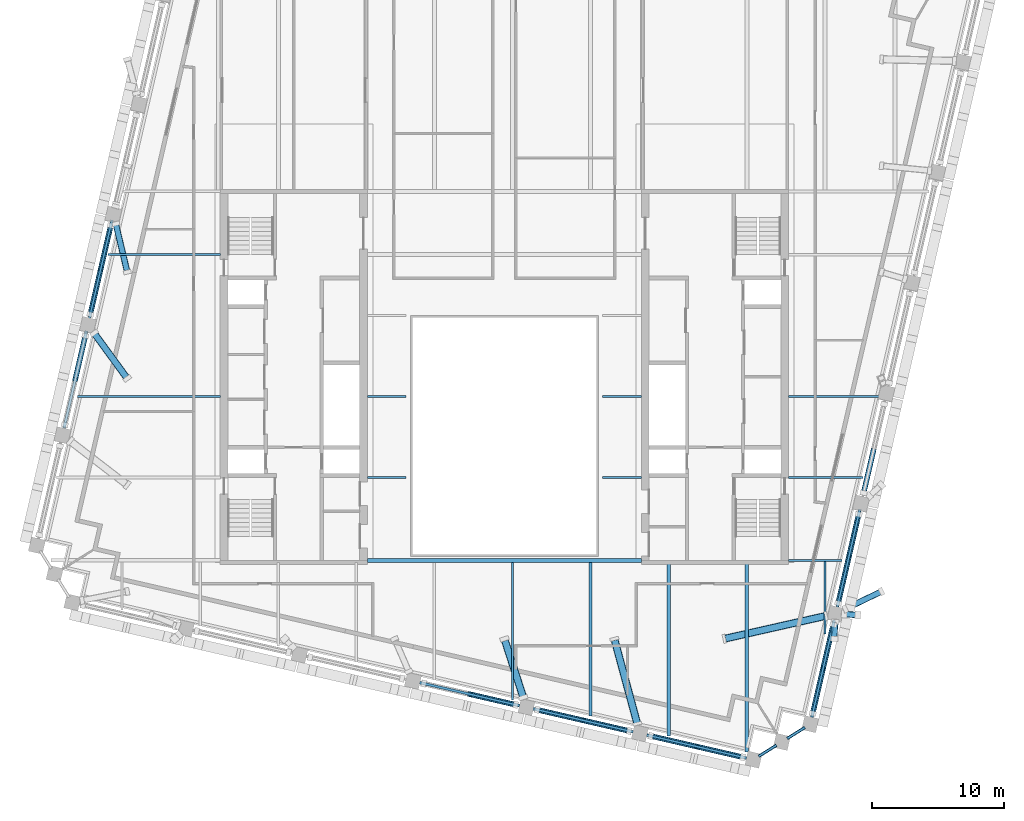
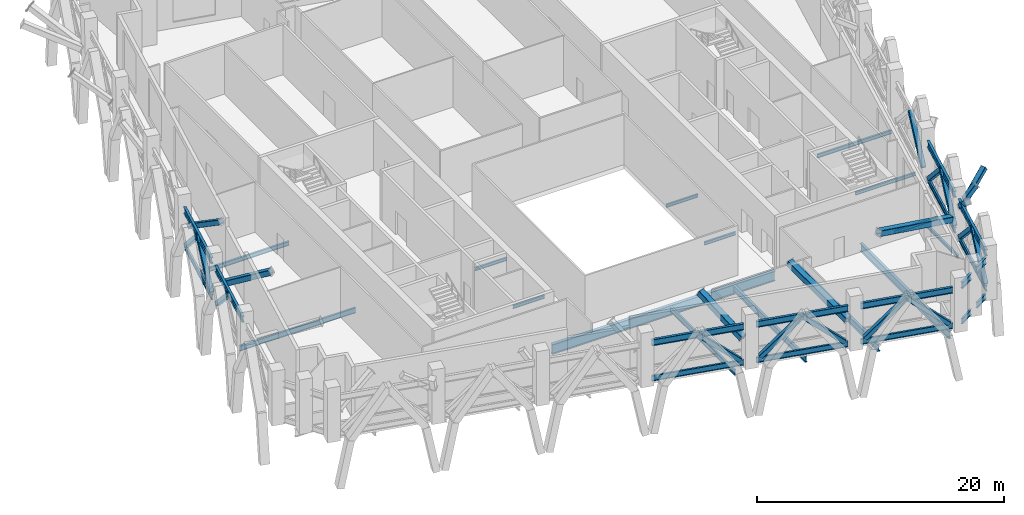
# One storey, part 2 of 19: 32 beams, 21 members.
"""IFC4 building model written with IfcOpenShell, lengths in metres."""

from ifc_helpers import new_model, si_unit, direction, frame, origin, origin_2d, place, context, subcontext, project, spatial, hollow_rectangle, i_section, extrude, material, material_profile, profile_set, type_object, element, save


model = new_model("IFC4")

# Units and contexts
model_context = context("Model", 3, precision=1e-05, world=origin(), true_north=direction((0.0, 1.0)))
body_context = subcontext(model_context, "Body", "Model", "MODEL_VIEW")
ifc_project = project(units=[si_unit("LENGTHUNIT", "METRE"), si_unit("AREAUNIT", "SQUARE_METRE"), si_unit("VOLUMEUNIT", "CUBIC_METRE"), si_unit("PLANEANGLEUNIT", "RADIAN"), si_unit("MASSUNIT", "GRAM", prefix="KILO")], contexts=[model_context])

# Site, building, storey
site_placement = place(None, origin())
site = spatial("IfcSite", under=ifc_project, at=site_placement, CompositionType="ELEMENT")
building_placement = place(site_placement, origin())
building = spatial("IfcBuilding", under=site, at=building_placement, Name="Ogive Exchange Tower", CompositionType="ELEMENT")
storey_placement = place(building_placement, frame((0.0, 0.0, 297.60009765625)))
storey = spatial("IfcBuildingStorey", under=building, at=storey_placement, Name="L65", CompositionType="ELEMENT", Elevation=297.60009765625)

# Beams
ifc_material_1 = material(Name="Steel ASTM A992 Gr50", Category="steel")
ifc_material_profile_1 = material_profile(ifc_material_1, i_section(OverallWidth=0.1669921875, OverallDepth=0.535888671875, WebThickness=0.01025390625, FlangeThickness=0.0166015625, at=origin_2d()), Name="W530x85")
ifc_profile_set_1 = profile_set([ifc_material_profile_1], Name="Steel ASTM A992 Gr50")
beam_type_1 = type_object("IfcBeamType", Name="Belt truss bottom chord W530x85", PredefinedType="BEAM", material=ifc_profile_set_1)
beam_1_placement = place(storey_placement, frame((-6.4345703125, -11.727294921875, 0.39990234375), z_axis=(0.974374818602, -0.224930462307, 0.0), x_axis=(0.224930462307, 0.974374818602, 0.0)))
element("IfcBeam", 1, at=beam_1_placement, inside=storey, type_object=beam_type_1, Name="Belt truss bottom chord 4", PredefinedType="BEAM", context=body_context, shape_type="SweptSolid", body=[
    extrude(i_section(OverallWidth=0.1669921875, OverallDepth=0.535888671875, WebThickness=0.01025390625, FlangeThickness=0.0166015625, at=origin_2d()), origin(), (0.0, 0.0, 1.0), 7.7900390625),
])
beam_2_placement = place(storey_placement, frame((2.188720703125, -13.718017578125, 0.39990234375), z_axis=(0.974366363305, -0.224967086616, 0.0), x_axis=(0.224967086616, 0.974366363305, 0.0)))
element("IfcBeam", 2, at=beam_2_placement, inside=storey, type_object=beam_type_1, Name="Belt truss bottom chord 5", PredefinedType="BEAM", context=body_context, shape_type="SweptSolid", body=[
    extrude(i_section(OverallWidth=0.1669921875, OverallDepth=0.535888671875, WebThickness=0.01025390625, FlangeThickness=0.0166015625, at=origin_2d()), origin(), (0.0, 0.0, 1.0), 7.789794921875),
])
beam_3_placement = place(storey_placement, frame((10.811767578125, -15.708984375, 0.39990234375), z_axis=(0.974374818602, -0.224930462307, 0.0), x_axis=(0.224930462307, 0.974374818602, 0.0)))
element("IfcBeam", 3, at=beam_3_placement, inside=storey, type_object=beam_type_1, Name="Belt truss bottom chord 6", PredefinedType="BEAM", context=body_context, shape_type="SweptSolid", body=[
    extrude(i_section(OverallWidth=0.1669921875, OverallDepth=0.535888671875, WebThickness=0.01025390625, FlangeThickness=0.0166015625, at=origin_2d()), origin(), (0.0, 0.0, 1.0), 7.7900390625),
])
for number, where, z_axis, x_axis, name in (
    (4, (19.32373046875, -17.327392578125, 0.39990234375), (0.84798967817, 0.53001274109, 0.0), (-0.53001274109, 0.84798967817, 0.0), "Belt truss bottom chord 7"),
    (5, (21.482421875, -15.978271484375, 0.39990234375), (0.848058683477, 0.529902320601, 0.0), (-0.529902320601, 0.848058683477, 0.0), "Belt truss bottom chord 8"),
):
    element("IfcBeam", number, at=place(storey_placement, frame(where, z_axis=z_axis, x_axis=x_axis)), inside=storey, type_object=beam_type_1, Name=name, PredefinedType="BEAM", context=body_context, shape_type="SweptSolid", body=[
        extrude(i_section(OverallWidth=0.1669921875, OverallDepth=0.535888671875, WebThickness=0.01025390625, FlangeThickness=0.0166015625, at=origin_2d()), origin(), (0.0, 0.0, 1.0), 1.590087890625),
    ])
for number, where, z_axis, x_axis, name in (
    (6, (23.355224609375, -14.3662109375, 0.39990234375), (0.224977866715, 0.974363874273, 0.0), (-0.974363874273, 0.224977866715, 0.0), "Belt truss bottom chord 9"),
    (7, (25.2880859375, -5.994140625, 0.39990234375), (0.224947094069, 0.974370979078, 0.0), (-0.974370979078, 0.224947094069, 0.0), "Belt truss bottom chord 10"),
    (8, (-29.839111328125, 23.281494140625, 0.39990234375), (-0.224947094069, -0.974370979078, 0.0), (0.974370979078, -0.224947094069, 0.0), "Belt truss bottom chord 30"),
):
    element("IfcBeam", number, at=place(storey_placement, frame(where, z_axis=z_axis, x_axis=x_axis)), inside=storey, type_object=beam_type_1, Name=name, PredefinedType="BEAM", context=body_context, shape_type="SweptSolid", body=[
        extrude(i_section(OverallWidth=0.1669921875, OverallDepth=0.535888671875, WebThickness=0.01025390625, FlangeThickness=0.0166015625, at=origin_2d()), origin(), (0.0, 0.0, 1.0), 7.5322265625),
    ])

# Members
ifc_material_2 = material(Name="Steel ASTM A1085 Gr A", Category="steel")
ifc_material_profile_2 = material_profile(ifc_material_2, hollow_rectangle(XDim=0.406005859375, YDim=0.406005859375, WallThickness=0.01904296875, InnerFilletRadius=0.01904296875, OuterFilletRadius=0.0380859375, at=origin_2d()), Name="HSS406.4x406.4x19")
ifc_profile_set_2 = profile_set([ifc_material_profile_2], Name="Steel ASTM A1085 Gr A")
member_type_1 = type_object("IfcMemberType", Name="Belt truss diagonal HSS406.4x406.4x19", PredefinedType="BRACE", material=ifc_profile_set_2)
for number, where, z_axis, x_axis, name in (
    (9, (0.850830078125, -13.4091796875, 0.684814453125), (-0.720714838499, 0.166365344645, 0.67297302596), (-0.22491923968, -0.974377409232, 0.0), "Belt truss diagonal 4b"),
    (10, (2.49365234375, -13.78857421875, 0.684814453125), (0.720714838499, -0.166365344645, 0.67297302596), (0.22491923968, 0.974377409232, 0.0), "Belt truss diagonal 5a"),
):
    element("IfcMember", number, at=place(storey_placement, frame(where, z_axis=z_axis, x_axis=x_axis)), inside=storey, type_object=member_type_1, Name=name, PredefinedType="BRACE", context=body_context, shape_type="SweptSolid", body=[
        extrude(hollow_rectangle(XDim=0.406005859375, YDim=0.406005859375, WallThickness=0.01904296875, InnerFilletRadius=0.01904296875, OuterFilletRadius=0.0380859375, at=origin_2d()), origin(), (0.0, 0.0, 1.0), 4.8427734375),
    ])
member_1_placement = place(storey_placement, frame((9.473876953125, -15.39990234375, 0.684814453125), z_axis=(-0.720690609841, 0.16637138947, 0.672997478192), x_axis=(-0.224934177752, -0.974373960899, 0.0)))
element("IfcMember", 11, at=member_1_placement, inside=storey, type_object=member_type_1, Name="Belt truss diagonal 5b", PredefinedType="BRACE", context=body_context, shape_type="SweptSolid", body=[
    extrude(hollow_rectangle(XDim=0.406005859375, YDim=0.406005859375, WallThickness=0.01904296875, InnerFilletRadius=0.01904296875, OuterFilletRadius=0.0380859375, at=origin_2d()), origin(), (0.0, 0.0, 1.0), 4.842529296875),
])
for number, where, z_axis, x_axis, name in (
    (12, (11.11669921875, -15.779296875, 0.684814453125), (0.720708792952, -0.166414362446, 0.672967380884), (0.224983947548, 0.974362470206, 0.0), "Belt truss diagonal 6a"),
    (13, (18.09716796875, -17.390869140625, 0.684814453125), (-0.720714838499, 0.166365344645, 0.67297302596), (-0.22491923968, -0.974377409232, 0.0), "Belt truss diagonal 6b"),
):
    element("IfcMember", number, at=place(storey_placement, frame(where, z_axis=z_axis, x_axis=x_axis)), inside=storey, type_object=member_type_1, Name=name, PredefinedType="BRACE", context=body_context, shape_type="SweptSolid", body=[
        extrude(hollow_rectangle(XDim=0.406005859375, YDim=0.406005859375, WallThickness=0.01904296875, InnerFilletRadius=0.01904296875, OuterFilletRadius=0.0380859375, at=origin_2d()), origin(), (0.0, 0.0, 1.0), 4.8427734375),
    ])
member_2_placement = place(storey_placement, frame((23.423828125, -14.069091796875, 0.68505859375), z_axis=(0.164325911358, 0.711601307206, 0.683096314174), x_axis=(-0.974358117237, 0.225002798594, 0.0)))
element("IfcMember", 14, at=member_2_placement, inside=storey, type_object=member_type_1, Name="Belt truss diagonal 9a", PredefinedType="BRACE", context=body_context, shape_type="SweptSolid", body=[
    extrude(hollow_rectangle(XDim=0.406005859375, YDim=0.406005859375, WallThickness=0.01904296875, InnerFilletRadius=0.01904296875, OuterFilletRadius=0.0380859375, at=origin_2d()), origin(), (0.0, 0.0, 1.0), 4.7705078125),
])
member_3_placement = place(storey_placement, frame((24.98193359375, -7.320556640625, 0.68505859375), z_axis=(-0.163330078112, -0.707557642078, 0.687521249651), x_axis=(0.97437684815, -0.224921670342, 0.0)))
element("IfcMember", 15, at=member_3_placement, inside=storey, type_object=member_type_1, Name="Belt truss diagonal 9b", PredefinedType="BRACE", context=body_context, shape_type="SweptSolid", body=[
    extrude(hollow_rectangle(XDim=0.406005859375, YDim=0.406005859375, WallThickness=0.01904296875, InnerFilletRadius=0.01904296875, OuterFilletRadius=0.0380859375, at=origin_2d()), origin(), (0.0, 0.0, 1.0), 4.739990234375),
])
member_4_placement = place(storey_placement, frame((25.357421875, -5.693603515625, 0.684814453125), z_axis=(0.165235836566, 0.715598276819, 0.67868713302), x_axis=(-0.974362019057, 0.224985901381, 0.0)))
element("IfcMember", 16, at=member_4_placement, inside=storey, type_object=member_type_1, Name="Belt truss diagonal 10a", PredefinedType="BRACE", context=body_context, shape_type="SweptSolid", body=[
    extrude(hollow_rectangle(XDim=0.406005859375, YDim=0.406005859375, WallThickness=0.01904296875, InnerFilletRadius=0.01904296875, OuterFilletRadius=0.0380859375, at=origin_2d()), origin(), (0.0, 0.0, 1.0), 4.802001953125),
])
member_5_placement = place(storey_placement, frame((26.91552734375, 1.054931640625, 0.685302734375), z_axis=(-0.162383291294, -0.703401696355, 0.691995462611), x_axis=(0.974373035942, -0.22493818446, 0.0)))
element("IfcMember", 17, at=member_5_placement, inside=storey, type_object=member_type_1, Name="Belt truss diagonal 10b", PredefinedType="BRACE", context=body_context, shape_type="SweptSolid", body=[
    extrude(hollow_rectangle(XDim=0.406005859375, YDim=0.406005859375, WallThickness=0.01904296875, InnerFilletRadius=0.01904296875, OuterFilletRadius=0.0380859375, at=origin_2d()), origin(), (0.0, 0.0, 1.0), 4.708984375),
])
member_6_placement = place(storey_placement, frame((27.291015625, 2.681884765625, 0.684814453125), z_axis=(0.166139748997, 0.719517964338, 0.674308151218), x_axis=(-0.974362365313, 0.224984401819, 0.0)))
element("IfcMember", 18, at=member_6_placement, inside=storey, type_object=member_type_1, Name="Belt truss diagonal 11a", PredefinedType="BRACE", context=body_context, shape_type="SweptSolid", body=[
    extrude(hollow_rectangle(XDim=0.406005859375, YDim=0.406005859375, WallThickness=0.01904296875, InnerFilletRadius=0.01904296875, OuterFilletRadius=0.0380859375, at=origin_2d()), origin(), (0.0, 0.0, 1.0), 4.833251953125),
])
member_7_placement = place(storey_placement, frame((-29.9052734375, 22.9951171875, 0.685302734375), z_axis=(-0.161405912836, -0.699164700993, 0.696503303788), x_axis=(0.974372806842, -0.224939176859, 0.0)))
element("IfcMember", 19, at=member_7_placement, inside=storey, type_object=member_type_1, Name="Belt truss diagonal 30a", PredefinedType="BRACE", context=body_context, shape_type="SweptSolid", body=[
    extrude(hollow_rectangle(XDim=0.406005859375, YDim=0.406005859375, WallThickness=0.01904296875, InnerFilletRadius=0.01904296875, OuterFilletRadius=0.0380859375, at=origin_2d()), origin(), (0.0, 0.0, 1.0), 4.678466796875),
])
member_8_placement = place(storey_placement, frame((-31.46337890625, 16.246337890625, 0.684814453125), z_axis=(0.166133710672, 0.719542325487, 0.674283643589), x_axis=(-0.974365827495, 0.224969407275, 0.0)))
element("IfcMember", 20, at=member_8_placement, inside=storey, type_object=member_type_1, Name="Belt truss diagonal 30b", PredefinedType="BRACE", context=body_context, shape_type="SweptSolid", body=[
    extrude(hollow_rectangle(XDim=0.406005859375, YDim=0.406005859375, WallThickness=0.01904296875, InnerFilletRadius=0.01904296875, OuterFilletRadius=0.0380859375, at=origin_2d()), origin(), (0.0, 0.0, 1.0), 4.833251953125),
])
member_9_placement = place(storey_placement, frame((-31.8388671875, 14.619384765625, 0.685302734375), z_axis=(-0.162433770067, -0.703395773539, 0.691989635839), x_axis=(0.9743572929, -0.225006368295, 0.0)))
element("IfcMember", 21, at=member_9_placement, inside=storey, type_object=member_type_1, Name="Belt truss diagonal 31a", PredefinedType="BRACE", context=body_context, shape_type="SweptSolid", body=[
    extrude(hollow_rectangle(XDim=0.406005859375, YDim=0.406005859375, WallThickness=0.01904296875, InnerFilletRadius=0.01904296875, OuterFilletRadius=0.0380859375, at=origin_2d()), origin(), (0.0, 0.0, 1.0), 4.708984375),
])

# Beams
ifc_material_profile_3 = material_profile(ifc_material_1, i_section(OverallWidth=0.22900390625, OverallDepth=0.612060546875, WebThickness=0.011962890625, FlangeThickness=0.01953125, at=origin_2d()), Name="W610x125")
ifc_profile_set_3 = profile_set([ifc_material_profile_3], Name="Steel ASTM A992 Gr50")
beam_type_2 = type_object("IfcBeamType", Name="Belt truss top chord W610x125", PredefinedType="BEAM", material=ifc_profile_set_3)
beam_4_placement = place(storey_placement, frame((-6.4345703125, -11.727294921875, 3.94384765625), z_axis=(0.974374818602, -0.224930462307, 0.0), x_axis=(0.224930462307, 0.974374818602, 0.0)))
element("IfcBeam", 22, at=beam_4_placement, inside=storey, type_object=beam_type_2, Name="Belt truss top chord 4", PredefinedType="BEAM", context=body_context, shape_type="SweptSolid", body=[
    extrude(i_section(OverallWidth=0.22900390625, OverallDepth=0.612060546875, WebThickness=0.011962890625, FlangeThickness=0.01953125, at=origin_2d()), origin(), (0.0, 0.0, 1.0), 7.7900390625),
])
beam_5_placement = place(storey_placement, frame((2.188720703125, -13.718017578125, 3.94384765625), z_axis=(0.974366363305, -0.224967086616, 0.0), x_axis=(0.224967086616, 0.974366363305, 0.0)))
element("IfcBeam", 23, at=beam_5_placement, inside=storey, type_object=beam_type_2, Name="Belt truss top chord 5", PredefinedType="BEAM", context=body_context, shape_type="SweptSolid", body=[
    extrude(i_section(OverallWidth=0.22900390625, OverallDepth=0.612060546875, WebThickness=0.011962890625, FlangeThickness=0.01953125, at=origin_2d()), origin(), (0.0, 0.0, 1.0), 7.789794921875),
])
beam_6_placement = place(storey_placement, frame((10.811767578125, -15.708984375, 3.94384765625), z_axis=(0.974374818602, -0.224930462307, 0.0), x_axis=(0.224930462307, 0.974374818602, 0.0)))
element("IfcBeam", 24, at=beam_6_placement, inside=storey, type_object=beam_type_2, Name="Belt truss top chord 6", PredefinedType="BEAM", context=body_context, shape_type="SweptSolid", body=[
    extrude(i_section(OverallWidth=0.22900390625, OverallDepth=0.612060546875, WebThickness=0.011962890625, FlangeThickness=0.01953125, at=origin_2d()), origin(), (0.0, 0.0, 1.0), 7.7900390625),
])
for number, where, z_axis, x_axis, name in (
    (25, (19.32373046875, -17.327392578125, 3.94384765625), (0.84798967817, 0.53001274109, 0.0), (-0.53001274109, 0.84798967817, 0.0), "Belt truss top chord 7"),
    (26, (21.482421875, -15.978271484375, 3.94384765625), (0.848058683477, 0.529902320601, 0.0), (-0.529902320601, 0.848058683477, 0.0), "Belt truss top chord 8"),
):
    element("IfcBeam", number, at=place(storey_placement, frame(where, z_axis=z_axis, x_axis=x_axis)), inside=storey, type_object=beam_type_2, Name=name, PredefinedType="BEAM", context=body_context, shape_type="SweptSolid", body=[
        extrude(i_section(OverallWidth=0.22900390625, OverallDepth=0.612060546875, WebThickness=0.011962890625, FlangeThickness=0.01953125, at=origin_2d()), origin(), (0.0, 0.0, 1.0), 1.590087890625),
    ])
beam_7_placement = place(storey_placement, frame((23.355224609375, -14.3662109375, 3.94384765625), z_axis=(0.224963030406, 0.974367299816, 0.0), x_axis=(-0.974367299816, 0.224963030406, 0.0)))
element("IfcBeam", 27, at=beam_7_placement, inside=storey, type_object=beam_type_2, Name="Belt truss top chord 9", PredefinedType="BEAM", context=body_context, shape_type="SweptSolid", body=[
    extrude(i_section(OverallWidth=0.22900390625, OverallDepth=0.612060546875, WebThickness=0.011962890625, FlangeThickness=0.01953125, at=origin_2d()), origin(), (0.0, 0.0, 1.0), 7.578369140625),
])
for number, where, z_axis, x_axis, name in (
    (28, (25.298583984375, -5.94921875, 3.94384765625), (0.224932444649, 0.974374360985, 0.0), (-0.974374360985, 0.224932444649, 0.0), "Belt truss top chord 10"),
    (29, (-29.80810546875, 23.416015625, 3.94384765625), (-0.224932444649, -0.974374360985, 0.0), (0.974374360985, -0.224932444649, 0.0), "Belt truss top chord 30"),
):
    element("IfcBeam", number, at=place(storey_placement, frame(where, z_axis=z_axis, x_axis=x_axis)), inside=storey, type_object=beam_type_2, Name=name, PredefinedType="BEAM", context=body_context, shape_type="SweptSolid", body=[
        extrude(i_section(OverallWidth=0.22900390625, OverallDepth=0.612060546875, WebThickness=0.011962890625, FlangeThickness=0.01953125, at=origin_2d()), origin(), (0.0, 0.0, 1.0), 7.578125),
    ])
beam_8_placement = place(storey_placement, frame((-31.751220703125, 14.999267578125, 3.94384765625), z_axis=(-0.224963030406, -0.974367299816, 0.0), x_axis=(0.974367299816, -0.224963030406, 0.0)))
element("IfcBeam", 30, at=beam_8_placement, inside=storey, type_object=beam_type_2, Name="Belt truss top chord 31", PredefinedType="BEAM", context=body_context, shape_type="SweptSolid", body=[
    extrude(i_section(OverallWidth=0.22900390625, OverallDepth=0.612060546875, WebThickness=0.011962890625, FlangeThickness=0.01953125, at=origin_2d()), origin(), (0.0, 0.0, 1.0), 7.578369140625),
])

# Members
ifc_material_profile_4 = material_profile(ifc_material_2, hollow_rectangle(XDim=0.45703125, YDim=0.45703125, WallThickness=0.01904296875, InnerFilletRadius=0.01904296875, OuterFilletRadius=0.0380859375, at=origin_2d()), Name="HSS457.2x457.2x19")
ifc_profile_set_4 = profile_set([ifc_material_profile_4], Name="Steel ASTM A1085 Gr A")
member_type_2 = type_object("IfcMemberType", Name="Block-change strut HSS457.2x457.2x19", PredefinedType="STRUT", material=ifc_profile_set_4)
member_10_placement = place(storey_placement, frame((25.13525390625, -7.1181640625, 3.5986328125), z_axis=(-0.048786381096, -0.733923029562, 0.677478321202), x_axis=(0.997797936595, -0.066327051244, 0.0)))
element("IfcMember", 31, at=member_10_placement, inside=storey, type_object=member_type_2, Name="Block-change strut 7", PredefinedType="STRUT", context=body_context, shape_type="SweptSolid", body=[
    extrude(hollow_rectangle(XDim=0.45703125, YDim=0.45703125, WallThickness=0.01904296875, InnerFilletRadius=0.01904296875, OuterFilletRadius=0.0380859375, at=origin_2d()), origin(), (0.0, 0.0, 1.0), 1.721435546875),
])
member_11_placement = place(storey_placement, frame((25.891357421875, -6.1337890625, 2.85595703125), z_axis=(0.765161142292, 0.3699994972, 0.526904923491), x_axis=(-0.435332330689, 0.90026982725, 0.0)))
element("IfcMember", 32, at=member_11_placement, inside=storey, type_object=member_type_2, Name="Block-change strut 8", PredefinedType="STRUT", context=body_context, shape_type="SweptSolid", body=[
    extrude(hollow_rectangle(XDim=0.45703125, YDim=0.45703125, WallThickness=0.01904296875, InnerFilletRadius=0.01904296875, OuterFilletRadius=0.0380859375, at=origin_2d()), origin(), (0.0, 0.0, 1.0), 3.580322265625),
])
member_12_placement = place(storey_placement, frame((-29.526611328125, 23.135986328125, 2.410888671875), z_axis=(0.197032933686, -0.826754824515, 0.526929296191), x_axis=(0.972756736517, 0.231828237193, 0.0)))
element("IfcMember", 33, at=member_12_placement, inside=storey, type_object=member_type_2, Name="Block-change strut 27", PredefinedType="STRUT", context=body_context, shape_type="SweptSolid", body=[
    extrude(hollow_rectangle(XDim=0.45703125, YDim=0.45703125, WallThickness=0.01904296875, InnerFilletRadius=0.01904296875, OuterFilletRadius=0.0380859375, at=origin_2d()), origin(), (0.0, 0.0, 1.0), 4.4248046875),
])
member_13_placement = place(storey_placement, frame((25.818603515625, -6.52001953125, 3.6181640625), z_axis=(0.656857073393, -0.05087995613, 0.752296494208), x_axis=(0.077228367669, 0.997013429813, 0.0)))
element("IfcMember", 34, at=member_13_placement, inside=storey, type_object=member_type_2, Name="Block-change strut 31", PredefinedType="STRUT", context=body_context, shape_type="SweptSolid", body=[
    extrude(hollow_rectangle(XDim=0.45703125, YDim=0.45703125, WallThickness=0.01904296875, InnerFilletRadius=0.01904296875, OuterFilletRadius=0.0380859375, at=origin_2d()), origin(), (0.0, 0.0, 1.0), 1.545166015625),
])
ifc_material_profile_5 = material_profile(ifc_material_2, hollow_rectangle(XDim=0.508056640625, YDim=0.508056640625, WallThickness=0.01904296875, InnerFilletRadius=0.01904296875, OuterFilletRadius=0.0380859375, at=origin_2d()), Name="HSS508x508x19")
ifc_profile_set_5 = profile_set([ifc_material_profile_5], Name="Steel ASTM A1085 Gr A")
member_type_3 = type_object("IfcMemberType", Name="Block-change strut HSS508x508x19", PredefinedType="STRUT", material=ifc_profile_set_5)
member_14_placement = place(storey_placement, frame((-31.171630859375, 14.830078125, 2.34033203125), z_axis=(0.514501543239, -0.705662198366, 0.487164267781), x_axis=(0.808031410945, 0.589139405341, 0.0)))
element("IfcMember", 35, at=member_14_placement, inside=storey, type_object=member_type_3, Name="Block-change strut 28", PredefinedType="STRUT", context=body_context, shape_type="SweptSolid", body=[
    extrude(hollow_rectangle(XDim=0.508056640625, YDim=0.508056640625, WallThickness=0.01904296875, InnerFilletRadius=0.01904296875, OuterFilletRadius=0.0380859375, at=origin_2d()), origin(), (0.0, 0.0, 1.0), 4.876220703125),
])
ifc_material_profile_6 = material_profile(ifc_material_2, hollow_rectangle(XDim=0.55908203125, YDim=0.55908203125, WallThickness=0.022216796875, InnerFilletRadius=0.022216796875, OuterFilletRadius=0.04443359375, at=origin_2d()), Name="HSS558.8x558.8x22.2")
ifc_profile_set_6 = profile_set([ifc_material_profile_6], Name="Steel ASTM A1085 Gr A")
member_type_4 = type_object("IfcMemberType", Name="Block-change strut HSS558.8x558.8x22.2", PredefinedType="STRUT", material=ifc_profile_set_6)
member_15_placement = place(storey_placement, frame((1.434326171875, -12.859619140625, 2.312255859375), z_axis=(-0.272763398722, 0.848099638919, 0.454232463375), x_axis=(-0.951976243986, -0.306171897612, 0.0)))
element("IfcMember", 36, at=member_15_placement, inside=storey, type_object=member_type_4, Name="Block-change strut 4", PredefinedType="STRUT", context=body_context, shape_type="SweptSolid", body=[
    extrude(hollow_rectangle(XDim=0.55908203125, YDim=0.55908203125, WallThickness=0.022216796875, InnerFilletRadius=0.022216796875, OuterFilletRadius=0.04443359375, at=origin_2d()), origin(), (0.0, 0.0, 1.0), 5.2333984375),
])
member_16_placement = place(storey_placement, frame((10.0947265625, -14.848388671875, 2.295166015625), z_axis=(-0.245884058566, 0.908814551532, 0.337041749145), x_axis=(-0.965294202811, -0.261164894309, 0.0)))
element("IfcMember", 37, at=member_16_placement, inside=storey, type_object=member_type_4, Name="Block-change strut 5", PredefinedType="STRUT", context=body_context, shape_type="SweptSolid", body=[
    extrude(hollow_rectangle(XDim=0.55908203125, YDim=0.55908203125, WallThickness=0.022216796875, InnerFilletRadius=0.022216796875, OuterFilletRadius=0.04443359375, at=origin_2d()), origin(), (0.0, 0.0, 1.0), 7.070556640625),
])
member_17_placement = place(storey_placement, frame((24.434814453125, -6.65380859375, 2.28955078125), z_axis=(-0.933860075958, -0.210832527121, 0.288885797574), x_axis=(0.220222008427, -0.975449776772, 0.0)))
element("IfcMember", 38, at=member_17_placement, inside=storey, type_object=member_type_4, Name="Block-change strut 6", PredefinedType="STRUT", context=body_context, shape_type="SweptSolid", body=[
    extrude(hollow_rectangle(XDim=0.55908203125, YDim=0.55908203125, WallThickness=0.022216796875, InnerFilletRadius=0.022216796875, OuterFilletRadius=0.04443359375, at=origin_2d()), origin(), (0.0, 0.0, 1.0), 8.257568359375),
])

# Beams
ifc_material_profile_7 = material_profile(ifc_material_1, i_section(OverallWidth=0.1650390625, OverallDepth=0.31005859375, WebThickness=0.005859375, FlangeThickness=0.009765625, at=origin_2d()), Name="W310x38.7")
ifc_profile_set_7 = profile_set([ifc_material_profile_7], Name="Steel ASTM A992 Gr50")
beam_type_3 = type_object("IfcBeamType", Name="Floor beam W310x38.7", PredefinedType="JOIST", material=ifc_profile_set_7)
for number, where, z_axis, x_axis, name in (
    (39, (-10.419921875, 3.8583984375, -0.60498046875), (1.0, 0.0, 0.0), (0.0, 1.0, 0.0), "Floor beam"),
    (40, (7.469970703125, 3.8583984375, -0.60498046875), (1.0, 0.0, 0.0), (0.0, 1.0, 0.0), "Floor beam"),
):
    element("IfcBeam", number, at=place(storey_placement, frame(where, z_axis=z_axis, x_axis=x_axis)), inside=storey, type_object=beam_type_3, Name=name, PredefinedType="JOIST", context=body_context, shape_type="SweptSolid", body=[
        extrude(i_section(OverallWidth=0.1650390625, OverallDepth=0.31005859375, WebThickness=0.005859375, FlangeThickness=0.009765625, at=origin_2d()), origin(), (0.0, 0.0, 1.0), 2.949951171875),
    ])
beam_9_placement = place(storey_placement, frame((21.580078125, 3.8583984375, -0.60498046875), z_axis=(1.0, 0.0, 0.0), x_axis=(0.0, 1.0, 0.0)))
element("IfcBeam", 41, at=beam_9_placement, inside=storey, type_object=beam_type_3, Name="Floor beam", PredefinedType="JOIST", context=body_context, shape_type="SweptSolid", body=[
    extrude(i_section(OverallWidth=0.1650390625, OverallDepth=0.31005859375, WebThickness=0.005859375, FlangeThickness=0.009765625, at=origin_2d()), origin(), (0.0, 0.0, 1.0), 5.6708984375),
])
for number, where, z_axis, x_axis, name in (
    (42, (-10.419921875, 10.006591796875, -0.60498046875), (1.0, 0.0, 0.0), (0.0, 1.0, 0.0), "Floor beam"),
    (43, (7.469970703125, 10.006591796875, -0.60498046875), (1.0, 0.0, 0.0), (0.0, 1.0, 0.0), "Floor beam"),
):
    element("IfcBeam", number, at=place(storey_placement, frame(where, z_axis=z_axis, x_axis=x_axis)), inside=storey, type_object=beam_type_3, Name=name, PredefinedType="JOIST", context=body_context, shape_type="SweptSolid", body=[
        extrude(i_section(OverallWidth=0.1650390625, OverallDepth=0.31005859375, WebThickness=0.005859375, FlangeThickness=0.009765625, at=origin_2d()), origin(), (0.0, 0.0, 1.0), 2.949951171875),
    ])
beam_10_placement = place(storey_placement, frame((24.351806640625, -8.049072265625, -0.60498046875), z_axis=(0.0, 1.0, 0.0), x_axis=(-1.0, 0.0, 0.0)))
element("IfcBeam", 44, at=beam_10_placement, inside=storey, type_object=beam_type_3, Name="Floor beam", PredefinedType="JOIST", context=body_context, shape_type="SweptSolid", body=[
    extrude(i_section(OverallWidth=0.1650390625, OverallDepth=0.31005859375, WebThickness=0.005859375, FlangeThickness=0.009765625, at=origin_2d()), origin(), (0.0, 0.0, 1.0), 5.521484375),
])
ifc_material_profile_8 = material_profile(ifc_material_1, i_section(OverallWidth=0.1708984375, OverallDepth=0.35595703125, WebThickness=0.00732421875, FlangeThickness=0.01171875, at=origin_2d()), Name="W360x51")
ifc_profile_set_8 = profile_set([ifc_material_profile_8], Name="Steel ASTM A992 Gr50")
beam_type_4 = type_object("IfcBeamType", Name="Floor beam W360x51", PredefinedType="JOIST", material=ifc_profile_set_8)
beam_11_placement = place(storey_placement, frame((21.580078125, 10.006591796875, -0.628173828125), z_axis=(1.0, 0.0, 0.0), x_axis=(0.0, 1.0, 0.0)))
element("IfcBeam", 45, at=beam_11_placement, inside=storey, type_object=beam_type_4, Name="Floor beam", PredefinedType="JOIST", context=body_context, shape_type="SweptSolid", body=[
    extrude(i_section(OverallWidth=0.1708984375, OverallDepth=0.35595703125, WebThickness=0.00732421875, FlangeThickness=0.01171875, at=origin_2d()), origin(), (0.0, 0.0, 1.0), 6.9404296875),
])
ifc_material_profile_9 = material_profile(ifc_material_1, i_section(OverallWidth=0.177978515625, OverallDepth=0.406005859375, WebThickness=0.0078125, FlangeThickness=0.0126953125, at=origin_2d()), Name="W410x60")
ifc_profile_set_9 = profile_set([ifc_material_profile_9], Name="Steel ASTM A992 Gr50")
beam_type_5 = type_object("IfcBeamType", Name="Floor beam W410x60", PredefinedType="JOIST", material=ifc_profile_set_9)
beam_12_placement = place(storey_placement, frame((-30.100830078125, 20.797607421875, -0.653076171875), z_axis=(1.0, 0.0, 0.0), x_axis=(0.0, 1.0, 0.0)))
element("IfcBeam", 46, at=beam_12_placement, inside=storey, type_object=beam_type_5, Name="Floor beam", PredefinedType="JOIST", context=body_context, shape_type="SweptSolid", body=[
    extrude(i_section(OverallWidth=0.177978515625, OverallDepth=0.406005859375, WebThickness=0.0078125, FlangeThickness=0.0126953125, at=origin_2d()), origin(), (0.0, 0.0, 1.0), 8.520751953125),
])
ifc_material_profile_10 = material_profile(ifc_material_1, i_section(OverallWidth=0.1669921875, OverallDepth=0.535888671875, WebThickness=0.01025390625, FlangeThickness=0.0166015625, at=origin_2d()), Name="W530x85")
ifc_profile_set_10 = profile_set([ifc_material_profile_10], Name="Steel ASTM A992 Gr50")
beam_type_6 = type_object("IfcBeamType", Name="Floor beam W530x85", PredefinedType="JOIST", material=ifc_profile_set_10)
beam_13_placement = place(storey_placement, frame((-32.442138671875, 10.006591796875, -0.718017578125), z_axis=(1.0, 0.0, 0.0), x_axis=(0.0, 1.0, 0.0)))
element("IfcBeam", 47, at=beam_13_placement, inside=storey, type_object=beam_type_6, Name="Floor beam", PredefinedType="JOIST", context=body_context, shape_type="SweptSolid", body=[
    extrude(i_section(OverallWidth=0.1669921875, OverallDepth=0.535888671875, WebThickness=0.01025390625, FlangeThickness=0.0166015625, at=origin_2d()), origin(), (0.0, 0.0, 1.0), 10.862060546875),
])
beam_14_placement = place(storey_placement, frame((0.61962890625, -13.0439453125, -0.718017578125), z_axis=(0.0, 1.0, 0.0), x_axis=(-1.0, 0.0, 0.0)))
element("IfcBeam", 48, at=beam_14_placement, inside=storey, type_object=beam_type_6, Name="Floor beam", PredefinedType="JOIST", context=body_context, shape_type="SweptSolid", body=[
    extrude(i_section(OverallWidth=0.1669921875, OverallDepth=0.535888671875, WebThickness=0.01025390625, FlangeThickness=0.0166015625, at=origin_2d()), origin(), (0.0, 0.0, 1.0), 10.448974609375),
])
ifc_material_profile_11 = material_profile(ifc_material_1, i_section(OverallWidth=0.22802734375, OverallDepth=0.60205078125, WebThickness=0.010498046875, FlangeThickness=0.014892578125, at=origin_2d()), Name="W610x101")
ifc_profile_set_11 = profile_set([ifc_material_profile_11], Name="Steel ASTM A992 Gr50")
beam_type_7 = type_object("IfcBeamType", Name="Floor beam W610x101", PredefinedType="JOIST", material=ifc_profile_set_11)
beam_15_placement = place(storey_placement, frame((6.552734375, -14.263916015625, -0.7509765625), z_axis=(0.0, 1.0, 0.0), x_axis=(-1.0, 0.0, 0.0)))
element("IfcBeam", 49, at=beam_15_placement, inside=storey, type_object=beam_type_7, Name="Floor beam", PredefinedType="JOIST", context=body_context, shape_type="SweptSolid", body=[
    extrude(i_section(OverallWidth=0.22802734375, OverallDepth=0.60205078125, WebThickness=0.010498046875, FlangeThickness=0.014892578125, at=origin_2d()), origin(), (0.0, 0.0, 1.0), 11.6689453125),
])
ifc_material_profile_12 = material_profile(ifc_material_1, i_section(OverallWidth=0.25390625, OverallDepth=0.677978515625, WebThickness=0.01171875, FlangeThickness=0.016357421875, at=origin_2d()), Name="W690x125")
ifc_profile_set_12 = profile_set([ifc_material_profile_12], Name="Steel ASTM A992 Gr50")
beam_type_8 = type_object("IfcBeamType", Name="Floor beam W690x125", PredefinedType="JOIST", material=ifc_profile_set_12)
beam_16_placement = place(storey_placement, frame((12.48583984375, -15.783447265625, -0.7890625), z_axis=(0.0, 1.0, 0.0), x_axis=(-1.0, 0.0, 0.0)))
element("IfcBeam", 50, at=beam_16_placement, inside=storey, type_object=beam_type_8, Name="Floor beam", PredefinedType="JOIST", context=body_context, shape_type="SweptSolid", body=[
    extrude(i_section(OverallWidth=0.25390625, OverallDepth=0.677978515625, WebThickness=0.01171875, FlangeThickness=0.016357421875, at=origin_2d()), origin(), (0.0, 0.0, 1.0), 13.183349609375),
])
ifc_material_profile_13 = material_profile(ifc_material_1, i_section(OverallWidth=0.26708984375, OverallDepth=0.75390625, WebThickness=0.01318359375, FlangeThickness=0.01708984375, at=origin_2d()), Name="W760x147")
ifc_profile_set_13 = profile_set([ifc_material_profile_13], Name="Steel ASTM A992 Gr50")
beam_type_9 = type_object("IfcBeamType", Name="Floor beam W760x147", PredefinedType="JOIST", material=ifc_profile_set_13)
beam_17_placement = place(storey_placement, frame((18.418701171875, -17.00341796875, -0.8271484375), z_axis=(0.0, 1.0, 0.0), x_axis=(-1.0, 0.0, 0.0)))
element("IfcBeam", 51, at=beam_17_placement, inside=storey, type_object=beam_type_9, Name="Floor beam", PredefinedType="JOIST", context=body_context, shape_type="SweptSolid", body=[
    extrude(i_section(OverallWidth=0.26708984375, OverallDepth=0.75390625, WebThickness=0.01318359375, FlangeThickness=0.01708984375, at=origin_2d()), origin(), (0.0, 0.0, 1.0), 14.4033203125),
])
ifc_material_profile_14 = material_profile(ifc_material_1, i_section(OverallWidth=0.300048828125, OverallDepth=0.97998046875, WebThickness=0.0166015625, FlangeThickness=0.026123046875, at=origin_2d()), Name="W1000x249")
ifc_profile_set_14 = profile_set([ifc_material_profile_14], Name="Steel ASTM A992 Gr50")
beam_type_10 = type_object("IfcBeamType", Name="Girder W1000x249", PredefinedType="BEAM", material=ifc_profile_set_14)
beam_18_placement = place(storey_placement, frame((-10.419921875, -2.445068359375, -0.940185546875), z_axis=(1.0, 0.0, 0.0), x_axis=(0.0, 1.0, 0.0)))
element("IfcBeam", 52, at=beam_18_placement, inside=storey, type_object=beam_type_10, Name="Header girder", PredefinedType="BEAM", context=body_context, shape_type="SweptSolid", body=[
    extrude(i_section(OverallWidth=0.300048828125, OverallDepth=0.97998046875, WebThickness=0.0166015625, FlangeThickness=0.026123046875, at=origin_2d()), origin(), (0.0, 0.0, 1.0), 20.83984375),
])
ifc_material_profile_15 = material_profile(ifc_material_1, i_section(OverallWidth=0.1650390625, OverallDepth=0.31005859375, WebThickness=0.005859375, FlangeThickness=0.009765625, at=origin_2d()), Name="W310x38.7")
ifc_profile_set_15 = profile_set([ifc_material_profile_15], Name="Steel ASTM A992 Gr50")
beam_type_11 = type_object("IfcBeamType", Name="Girder W310x38.7", PredefinedType="BEAM", material=ifc_profile_set_15)
beam_19_placement = place(storey_placement, frame((21.580078125, -2.445068359375, -0.60498046875), z_axis=(1.0, 0.0, 0.0), x_axis=(0.0, 1.0, 0.0)))
element("IfcBeam", 53, at=beam_19_placement, inside=storey, type_object=beam_type_11, Name="Header girder", PredefinedType="BEAM", context=body_context, shape_type="SweptSolid", body=[
    extrude(i_section(OverallWidth=0.1650390625, OverallDepth=0.31005859375, WebThickness=0.005859375, FlangeThickness=0.009765625, at=origin_2d()), origin(), (0.0, 0.0, 1.0), 4.065673828125),
])

save(model, "model.ifc")
